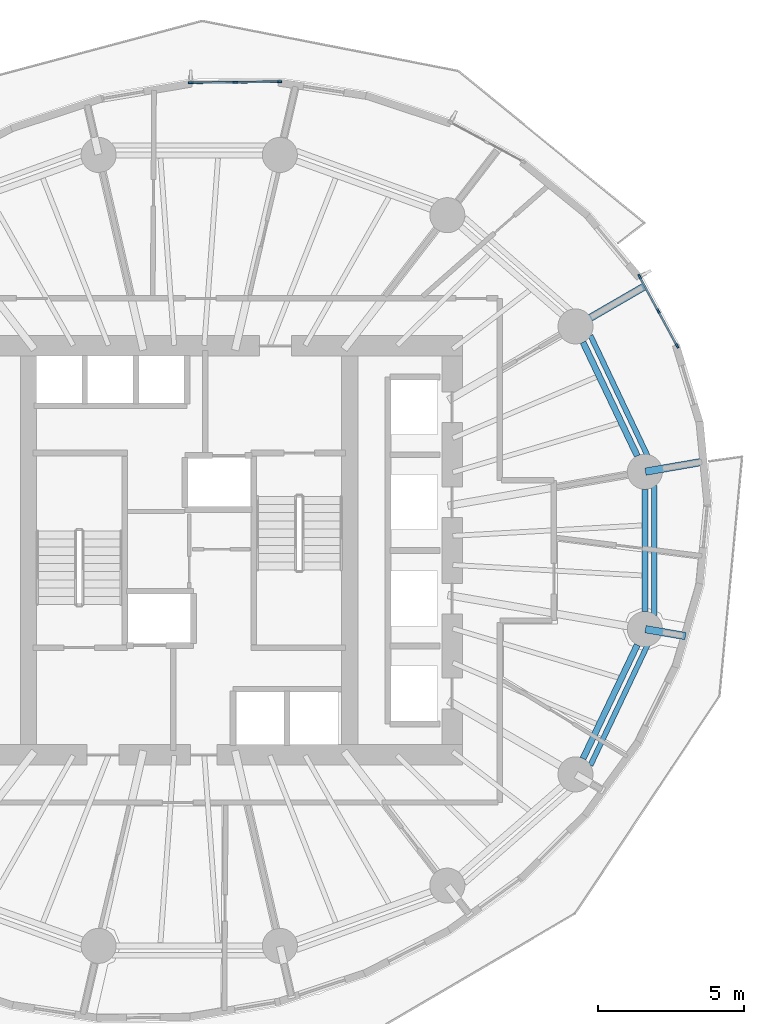
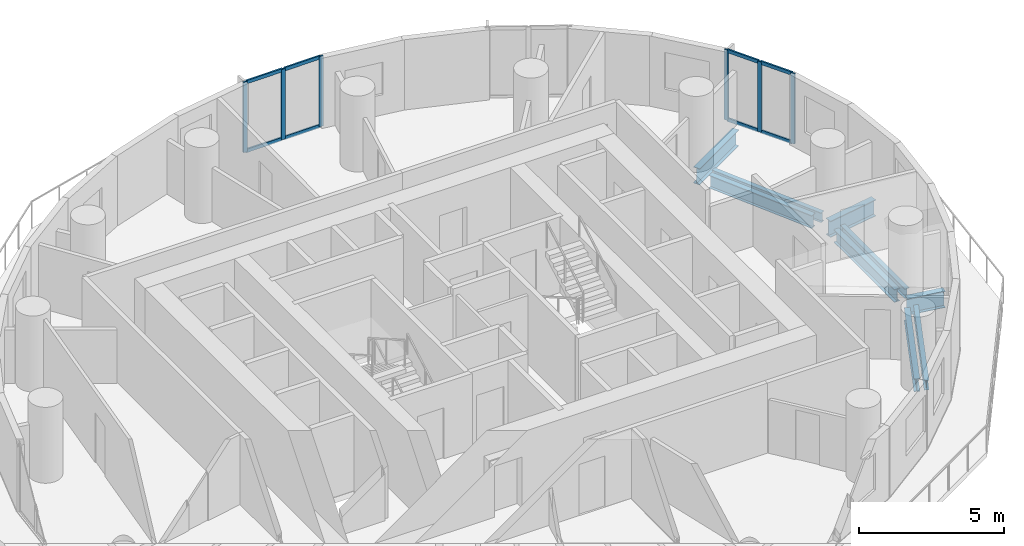
# One storey, part 5 of 14: 14 members, 9 beams, 2 elements without a shape of their own.
"""IFC4 building model written with IfcOpenShell, lengths in metres."""

from ifc_helpers import new_model, si_unit, direction, frame, origin, origin_2d, place, context, subcontext, project, spatial, rectangle, i_section, extrude, material, material_profile, profile_set, type_object, element, aggregate, save


model = new_model("IFC4")

# Units and contexts
model_context = context("Model", 3, precision=1e-05, world=origin(), true_north=direction((0.0, 1.0)))
body_context = subcontext(model_context, "Body", "Model", "MODEL_VIEW")
ifc_project = project(units=[si_unit("LENGTHUNIT", "METRE"), si_unit("AREAUNIT", "SQUARE_METRE"), si_unit("VOLUMEUNIT", "CUBIC_METRE"), si_unit("PLANEANGLEUNIT", "RADIAN"), si_unit("MASSUNIT", "GRAM", prefix="KILO")], contexts=[model_context])

# Site, building, storey
site_placement = place(None, origin())
site = spatial("IfcSite", under=ifc_project, at=site_placement, CompositionType="ELEMENT")
building_placement = place(site_placement, origin())
building = spatial("IfcBuilding", under=site, at=building_placement, Name="Veldorim Arch Residences", CompositionType="ELEMENT")
storey_placement = place(building_placement, frame((0.0, 0.0, 93.280029296875)))
storey = spatial("IfcBuildingStorey", under=building, at=storey_placement, Name="L27", CompositionType="ELEMENT", Elevation=93.280029296875)

# Beams
ifc_material_1 = material(Name="Steel S355", Category="steel")
ifc_material_profile_1 = material_profile(ifc_material_1, i_section(OverallWidth=0.2119140625, OverallDepth=0.54443359375, WebThickness=0.0126953125, FlangeThickness=0.021240234375, at=origin_2d()), Name="UB533x210x122")
ifc_profile_set_1 = profile_set([ifc_material_profile_1], Name="Steel S355")
beam_type_1 = type_object("IfcBeamType", Name="Structural Steel Beam UB533x210x122", PredefinedType="BEAM", material=ifc_profile_set_1)
for number, where, z_axis, x_axis, name in (
    (1, (47.336181640625, 27.233642578125, -0.51220703125), (-0.430720154476, 0.902485539235, 0.0), (-0.902485539235, -0.430720154476, 0.0), "L27 perimeter ring tie beam 01"),
    (2, (45.478759765625, 16.87451171875, -0.51220703125), (0.430720154476, 0.902485539235, 0.0), (-0.902485539235, 0.430720154476, 0.0), "L27 perimeter ring tie beam 15"),
):
    element("IfcBeam", number, at=place(storey_placement, frame(where, z_axis=z_axis, x_axis=x_axis)), inside=storey, type_object=beam_type_1, Name=name, PredefinedType="BEAM", context=body_context, shape_type="SweptSolid", body=[
        extrude(i_section(OverallWidth=0.2119140625, OverallDepth=0.54443359375, WebThickness=0.0126953125, FlangeThickness=0.021240234375, at=origin_2d()), origin(), (0.0, 0.0, 1.0), 4.312255859375),
    ])
beam_1_placement = place(storey_placement, frame((47.594482421875, 21.90771484375, -0.51220703125), z_axis=(0.0, 1.0, 0.0), x_axis=(-1.0, 0.0, 0.0)))
element("IfcBeam", 3, at=beam_1_placement, inside=storey, type_object=beam_type_1, Name="L27 perimeter ring tie beam 16", PredefinedType="BEAM", context=body_context, shape_type="SweptSolid", body=[
    extrude(i_section(OverallWidth=0.2119140625, OverallDepth=0.54443359375, WebThickness=0.0126953125, FlangeThickness=0.021240234375, at=origin_2d()), origin(), (0.0, 0.0, 1.0), 4.1845703125),
])
ifc_material_2 = material(Name="Steel S355", Category="steel")
ifc_material_profile_2 = material_profile(ifc_material_2, i_section(OverallWidth=0.25439453125, OverallDepth=0.6875, WebThickness=0.01318359375, FlangeThickness=0.02099609375, at=origin_2d()), Name="UB686x254x152")
ifc_profile_set_2 = profile_set([ifc_material_profile_2], Name="Steel S355")
beam_type_2 = type_object("IfcBeamType", Name="Structural Steel GIRDER UB686x254x152", PredefinedType="USERDEFINED", material=ifc_profile_set_2)
beam_2_placement = place(storey_placement, frame((47.6142578125, 26.695556640625, -0.583740234375), z_axis=(0.985413092061, 0.170179428821, 0.0), x_axis=(-0.170179428821, 0.985413092061, 0.0)))
element("IfcBeam", 4, at=beam_2_placement, inside=storey, type_object=beam_type_2, Name="L27 radial edge cantilever girder 01", ObjectType="GIRDER", PredefinedType="USERDEFINED", context=body_context, shape_type="SweptSolid", body=[
    extrude(i_section(OverallWidth=0.25439453125, OverallDepth=0.6875, WebThickness=0.01318359375, FlangeThickness=0.02099609375, at=origin_2d()), origin(), (0.0, 0.0, 1.0), 2.0400390625),
])
beam_3_placement = place(storey_placement, frame((45.23779296875, 31.677001953125, -0.583740234375), z_axis=(0.865074923998, 0.50164267748, 0.0), x_axis=(-0.50164267748, 0.865074923998, 0.0)))
element("IfcBeam", 5, at=beam_3_placement, inside=storey, type_object=beam_type_2, Name="L27 radial edge cantilever girder 02", ObjectType="GIRDER", PredefinedType="USERDEFINED", context=body_context, shape_type="SweptSolid", body=[
    extrude(i_section(OverallWidth=0.25439453125, OverallDepth=0.6875, WebThickness=0.01318359375, FlangeThickness=0.02099609375, at=origin_2d()), origin(), (0.0, 0.0, 1.0), 2.713134765625),
])
beam_4_placement = place(storey_placement, frame((47.6142578125, 21.304443359375, -0.583740234375), z_axis=(0.985409418186, -0.170200700791, 0.0), x_axis=(0.170200700791, 0.985409418186, 0.0)))
element("IfcBeam", 6, at=beam_4_placement, inside=storey, type_object=beam_type_2, Name="L27 radial edge cantilever girder 16", ObjectType="GIRDER", PredefinedType="USERDEFINED", context=body_context, shape_type="SweptSolid", body=[
    extrude(i_section(OverallWidth=0.25439453125, OverallDepth=0.6875, WebThickness=0.01318359375, FlangeThickness=0.02099609375, at=origin_2d()), origin(), (0.0, 0.0, 1.0), 1.391357421875),
])
ifc_material_3 = material(Name="Steel S355", Category="steel")
ifc_material_profile_3 = material_profile(ifc_material_3, i_section(OverallWidth=0.1787109375, OverallDepth=0.409423828125, WebThickness=0.0087890625, FlangeThickness=0.014404296875, at=origin_2d()), Name="UB406x178x67")
ifc_profile_set_3 = profile_set([ifc_material_profile_3], Name="Steel S355")
beam_type_3 = type_object("IfcBeamType", Name="Structural Steel Spandrel UB406x178x67", PredefinedType="SPANDREL", material=ifc_profile_set_3)
for number, where, z_axis, x_axis, name in (
    (7, (47.693115234375, 27.225341796875, -0.46484375), (-0.428857472204, 0.903372165021, 0.0), (-0.903372165021, -0.428857472204, 0.0), "L27 perimeter chord spandrel beam 01"),
    (8, (45.732421875, 16.64453125, -0.46484375), (0.428857472204, 0.903372165021, 0.0), (-0.903372165021, 0.428857472204, 0.0), "L27 perimeter chord spandrel beam 15"),
):
    element("IfcBeam", number, at=place(storey_placement, frame(where, z_axis=z_axis, x_axis=x_axis)), inside=storey, type_object=beam_type_3, Name=name, PredefinedType="SPANDREL", context=body_context, shape_type="SweptSolid", body=[
        extrude(i_section(OverallWidth=0.1787109375, OverallDepth=0.409423828125, WebThickness=0.0087890625, FlangeThickness=0.014404296875, at=origin_2d()), origin(), (0.0, 0.0, 1.0), 4.572021484375),
    ])
beam_5_placement = place(storey_placement, frame((47.919677734375, 21.77978515625, -0.46484375), z_axis=(0.0, 1.0, 0.0), x_axis=(-1.0, 0.0, 0.0)))
element("IfcBeam", 9, at=beam_5_placement, inside=storey, type_object=beam_type_3, Name="L27 perimeter chord spandrel beam 16", PredefinedType="SPANDREL", context=body_context, shape_type="SweptSolid", body=[
    extrude(i_section(OverallWidth=0.1787109375, OverallDepth=0.409423828125, WebThickness=0.0087890625, FlangeThickness=0.014404296875, at=origin_2d()), origin(), (0.0, 0.0, 1.0), 4.4404296875),
])

# Curtain wall, members
ifc_material_4 = material(Name="Aluminium", Category="aluminium")
curtain_wall_type = type_object("IfcCurtainWallType", Name="Zone 2 Solar-Control Unitised Curtain Wall", PredefinedType="NOTDEFINED", material=ifc_material_4)
curtain_wall_1_placement = place(storey_placement, origin())
curtain_wall_1 = element("IfcCurtainWall", 10, at=curtain_wall_1_placement, inside=storey, type_object=curtain_wall_type, Name="L27 unitised curtain wall bay 01", PredefinedType="NOTDEFINED")
ifc_material_5 = material(Name="Aluminium", Category="aluminium")
ifc_material_profile_4 = material_profile(ifc_material_5, rectangle(XDim=0.06494140625, YDim=0.1650390625, at=origin_2d()), Name="ALU_MUL_65x165")
ifc_profile_set_4 = profile_set([ifc_material_profile_4], Name="Aluminium")
member_type_1 = type_object("IfcMemberType", Name="Zone 2 Solar-Control Unitised Curtain Wall Mullion 65x165", PredefinedType="MULLION", material=ifc_profile_set_4)
member_1_placement = place(storey_placement, frame((47.416015625, 33.37109375, 0.0), z_axis=(0.0, 0.0, 1.0), x_axis=(0.87936599291, 0.4761464591, 0.0)))
member_1 = element("IfcMember", 11, at=member_1_placement, type_object=member_type_1, Name="CW-Z2 mullion 1", PredefinedType="MULLION", context=body_context, shape_type="SweptSolid", body=[
    extrude(rectangle(XDim=0.06494140625, YDim=0.1650390625, at=origin_2d()), origin(), (0.0, 0.0, 1.0), 2.9599609375),
])
member_2_placement = place(storey_placement, frame((48.056884765625, 32.187255859375, 0.0), z_axis=(0.0, 0.0, 1.0), x_axis=(0.87936599291, 0.4761464591, 0.0)))
member_2 = element("IfcMember", 12, at=member_2_placement, type_object=member_type_1, Name="CW-Z2 mullion 2", PredefinedType="MULLION", context=body_context, shape_type="SweptSolid", body=[
    extrude(rectangle(XDim=0.06494140625, YDim=0.1650390625, at=origin_2d()), origin(), (0.0, 0.0, 1.0), 2.9599609375),
])
member_3_placement = place(storey_placement, frame((48.697998046875, 31.003173828125, 0.0), z_axis=(0.0, 0.0, 1.0), x_axis=(0.87936599291, 0.4761464591, 0.0)))
member_3 = element("IfcMember", 13, at=member_3_placement, type_object=member_type_1, Name="CW-Z2 mullion 3", PredefinedType="MULLION", context=body_context, shape_type="SweptSolid", body=[
    extrude(rectangle(XDim=0.06494140625, YDim=0.1650390625, at=origin_2d()), origin(), (0.0, 0.0, 1.0), 2.9599609375),
])

curtain_wall_2_placement = place(storey_placement, origin())
curtain_wall_2 = element("IfcCurtainWall", 14, at=curtain_wall_2_placement, inside=storey, type_object=curtain_wall_type, Name="L27 unitised curtain wall bay 07", PredefinedType="NOTDEFINED")
member_4_placement = place(storey_placement, frame((32.052001953125, 40.009521484375, 0.0), z_axis=(0.0, 0.0, 1.0), x_axis=(-0.01118671332, 0.999937426765, 0.0)))
member_4 = element("IfcMember", 15, at=member_4_placement, type_object=member_type_1, Name="CW-Z2 mullion 1", PredefinedType="MULLION", context=body_context, shape_type="SweptSolid", body=[
    extrude(rectangle(XDim=0.06494140625, YDim=0.1650390625, at=origin_2d()), origin(), (0.0, 0.0, 1.0), 2.9599609375),
])
member_5_placement = place(storey_placement, frame((33.570556640625, 40.026611328125, 0.0), z_axis=(0.0, 0.0, 1.0), x_axis=(-0.01118671332, 0.999937426765, 0.0)))
member_5 = element("IfcMember", 16, at=member_5_placement, type_object=member_type_1, Name="CW-Z2 mullion 2", PredefinedType="MULLION", context=body_context, shape_type="SweptSolid", body=[
    extrude(rectangle(XDim=0.06494140625, YDim=0.1650390625, at=origin_2d()), origin(), (0.0, 0.0, 1.0), 2.9599609375),
])
member_6_placement = place(storey_placement, frame((35.0888671875, 40.04345703125, 0.0), z_axis=(0.0, 0.0, 1.0), x_axis=(-0.01118671332, 0.999937426765, 0.0)))
member_6 = element("IfcMember", 17, at=member_6_placement, type_object=member_type_1, Name="CW-Z2 mullion 3", PredefinedType="MULLION", context=body_context, shape_type="SweptSolid", body=[
    extrude(rectangle(XDim=0.06494140625, YDim=0.1650390625, at=origin_2d()), origin(), (0.0, 0.0, 1.0), 2.9599609375),
])

# Member
ifc_material_6 = material(Name="Aluminium", Category="aluminium")
ifc_material_profile_5 = material_profile(ifc_material_6, rectangle(XDim=0.06494140625, YDim=0.14501953125, at=origin_2d()), Name="ALU_TRN_65x145")
ifc_profile_set_5 = profile_set([ifc_material_profile_5], Name="Aluminium")
member_type_2 = type_object("IfcMemberType", Name="Zone 2 Solar-Control Unitised Curtain Wall Transom 65x145", PredefinedType="USERDEFINED", material=ifc_profile_set_5)
member_7_placement = place(storey_placement, frame((47.431396484375, 33.342529296875, 0.032470703125), z_axis=(0.476166516797, -0.879355132061, 0.0), x_axis=(0.879355132061, 0.476166516797, 0.0)))
member_7 = element("IfcMember", 18, at=member_7_placement, type_object=member_type_2, Name="CW-Z2 transom 1.1", ObjectType="TRANSOM", PredefinedType="USERDEFINED", context=body_context, shape_type="SweptSolid", body=[
    extrude(rectangle(XDim=0.06494140625, YDim=0.14501953125, at=origin_2d()), origin(), (0.0, 0.0, 1.0), 1.28125),
])

member_8_placement = place(storey_placement, frame((47.431396484375, 33.342529296875, 2.927490234375), z_axis=(0.476166516797, -0.879355132061, 0.0), x_axis=(0.879355132061, 0.476166516797, 0.0)))
member_8 = element("IfcMember", 19, at=member_8_placement, type_object=member_type_2, Name="CW-Z2 transom 1.2", ObjectType="TRANSOM", PredefinedType="USERDEFINED", context=body_context, shape_type="SweptSolid", body=[
    extrude(rectangle(XDim=0.06494140625, YDim=0.14501953125, at=origin_2d()), origin(), (0.0, 0.0, 1.0), 1.28125),
])

member_9_placement = place(storey_placement, frame((48.072509765625, 32.15869140625, 0.032470703125), z_axis=(0.476086744214, -0.879398323846, 0.0), x_axis=(0.879398323846, 0.476086744214, 0.0)))
member_9 = element("IfcMember", 20, at=member_9_placement, type_object=member_type_2, Name="CW-Z2 transom 2.1", ObjectType="TRANSOM", PredefinedType="USERDEFINED", context=body_context, shape_type="SweptSolid", body=[
    extrude(rectangle(XDim=0.06494140625, YDim=0.14501953125, at=origin_2d()), origin(), (0.0, 0.0, 1.0), 1.281494140625),
])

member_10_placement = place(storey_placement, frame((48.072509765625, 32.15869140625, 2.927490234375), z_axis=(0.476086744214, -0.879398323846, 0.0), x_axis=(0.879398323846, 0.476086744214, 0.0)))
member_10 = element("IfcMember", 21, at=member_10_placement, type_object=member_type_2, Name="CW-Z2 transom 2.2", ObjectType="TRANSOM", PredefinedType="USERDEFINED", context=body_context, shape_type="SweptSolid", body=[
    extrude(rectangle(XDim=0.06494140625, YDim=0.14501953125, at=origin_2d()), origin(), (0.0, 0.0, 1.0), 1.281494140625),
])

aggregate(curtain_wall_1, [member_1, member_2, member_3, member_7, member_8, member_9, member_10])

member_11_placement = place(storey_placement, frame((32.084716796875, 40.010009765625, 0.032470703125), z_axis=(0.999938525928, 0.011088028009, 0.0), x_axis=(-0.011088028009, 0.999938525928, 0.0)))
member_11 = element("IfcMember", 22, at=member_11_placement, type_object=member_type_2, Name="CW-Z2 transom 1.1", ObjectType="TRANSOM", PredefinedType="USERDEFINED", context=body_context, shape_type="SweptSolid", body=[
    extrude(rectangle(XDim=0.06494140625, YDim=0.14501953125, at=origin_2d()), origin(), (0.0, 0.0, 1.0), 1.453125),
])

member_12_placement = place(storey_placement, frame((32.084716796875, 40.010009765625, 2.927490234375), z_axis=(0.999938525928, 0.011088028009, 0.0), x_axis=(-0.011088028009, 0.999938525928, 0.0)))
member_12 = element("IfcMember", 23, at=member_12_placement, type_object=member_type_2, Name="CW-Z2 transom 1.2", ObjectType="TRANSOM", PredefinedType="USERDEFINED", context=body_context, shape_type="SweptSolid", body=[
    extrude(rectangle(XDim=0.06494140625, YDim=0.14501953125, at=origin_2d()), origin(), (0.0, 0.0, 1.0), 1.453125),
])

member_13_placement = place(storey_placement, frame((33.60302734375, 40.02685546875, 0.032470703125), z_axis=(0.999936670423, 0.011254116734, 0.0), x_axis=(-0.011254116734, 0.999936670423, 0.0)))
member_13 = element("IfcMember", 24, at=member_13_placement, type_object=member_type_2, Name="CW-Z2 transom 2.1", ObjectType="TRANSOM", PredefinedType="USERDEFINED", context=body_context, shape_type="SweptSolid", body=[
    extrude(rectangle(XDim=0.06494140625, YDim=0.14501953125, at=origin_2d()), origin(), (0.0, 0.0, 1.0), 1.453369140625),
])

member_14_placement = place(storey_placement, frame((33.60302734375, 40.02685546875, 2.927490234375), z_axis=(0.999936670423, 0.011254116734, 0.0), x_axis=(-0.011254116734, 0.999936670423, 0.0)))
member_14 = element("IfcMember", 25, at=member_14_placement, type_object=member_type_2, Name="CW-Z2 transom 2.2", ObjectType="TRANSOM", PredefinedType="USERDEFINED", context=body_context, shape_type="SweptSolid", body=[
    extrude(rectangle(XDim=0.06494140625, YDim=0.14501953125, at=origin_2d()), origin(), (0.0, 0.0, 1.0), 1.453369140625),
])

aggregate(curtain_wall_2, [member_4, member_5, member_6, member_11, member_12, member_13, member_14])

save(model, "model.ifc")
